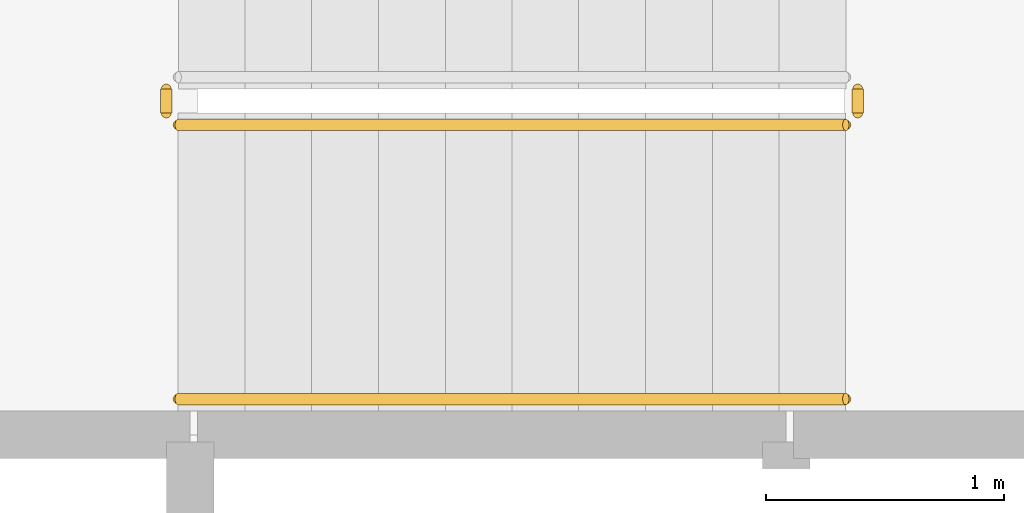
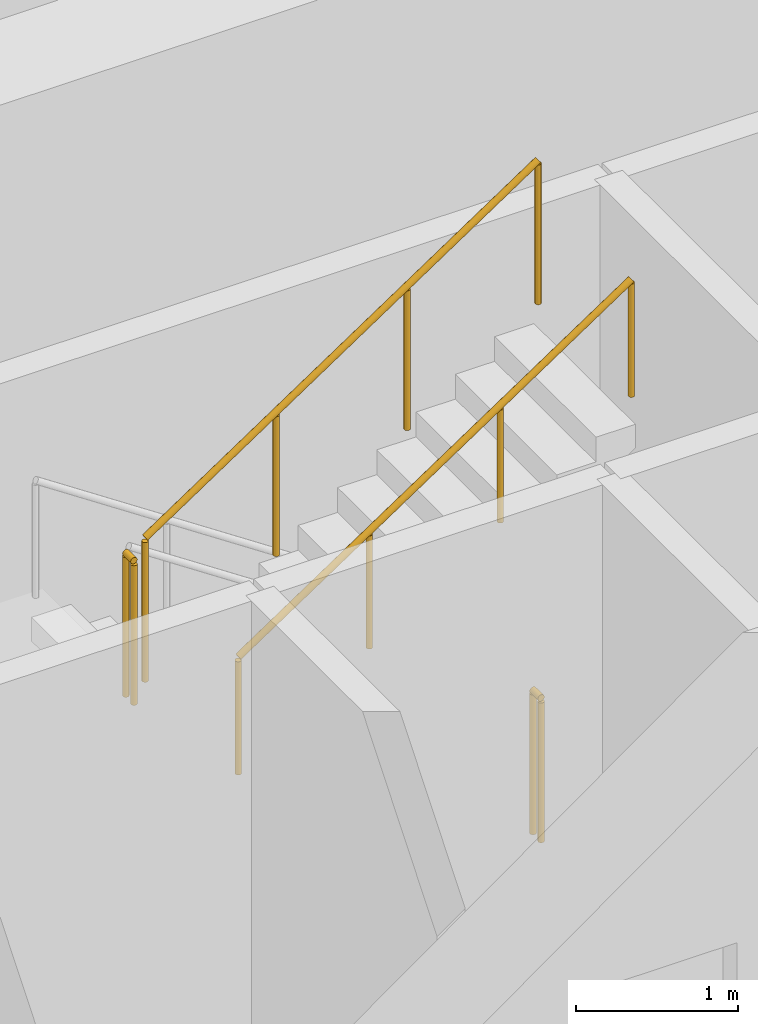
# One storey, part 19 of 21: 4 railings.
"""IFC4 building model written with IfcOpenShell, lengths in metres."""

from ifc_helpers import new_model, si_unit, direction, frame, origin, origin_2d, place, context, subcontext, project, spatial, circle, extrude, material, type_object, element, save


model = new_model("IFC4")

# Units and contexts
model_context = context("Model", 3, precision=1e-05, world=origin(), true_north=direction((0.0, 1.0)))
body_context = subcontext(model_context, "Body", "Model", "MODEL_VIEW")
ifc_project = project(units=[si_unit("LENGTHUNIT", "METRE"), si_unit("AREAUNIT", "SQUARE_METRE"), si_unit("VOLUMEUNIT", "CUBIC_METRE"), si_unit("PLANEANGLEUNIT", "RADIAN"), si_unit("MASSUNIT", "GRAM", prefix="KILO")], contexts=[model_context])

# Site, building, storey
site_placement = place(None, origin())
site = spatial("IfcSite", under=ifc_project, at=site_placement, CompositionType="ELEMENT")
building_placement = place(site_placement, origin())
building = spatial("IfcBuilding", under=site, at=building_placement, Name="Spindrift Exchange Tower", CompositionType="ELEMENT")
storey_placement = place(building_placement, frame((0.0, 0.0, 83.89990234375)))
storey = spatial("IfcBuildingStorey", under=building, at=storey_placement, Name="L19", CompositionType="ELEMENT", Elevation=83.89990234375)

# Railings
ifc_material_1 = material(Name="Steel balustrade", Category="steel")
railing_type_1 = type_object("IfcRailingType", Name="RL-STAIR-GUARD", PredefinedType="GUARDRAIL", material=ifc_material_1)
railing_1_placement = place(storey_placement, frame((46.199951171875, 53.85009765625, 2.050048828125)))
element("IfcRailing", 1, at=railing_1_placement, inside=storey, type_object=railing_type_1, Name="L19 ST1 stair guard 2", PredefinedType="GUARDRAIL", context=body_context, shape_type="SweptSolid", body=[
    extrude(circle(Radius=0.02392578125, at=origin_2d()), frame((0.0, 0.0, 1.076171875), z_axis=(0.0, -1.0, 0.0), x_axis=(1.0, 0.0, 0.0)), (0.0, 0.0, 1.0), 0.10009765625),
    extrude(circle(Radius=0.02099609375, at=origin_2d()), origin(), (0.0, 0.0, 1.0), 1.052001953125),
    extrude(circle(Radius=0.02099609375, at=origin_2d()), frame((0.0, -0.10009765625, 0.0)), (0.0, 0.0, 1.0), 1.052001953125),
])
railing_2_placement = place(storey_placement, frame((46.25, 53.699951171875, 2.236572265625)))
element("IfcRailing", 2, at=railing_2_placement, inside=storey, type_object=railing_type_1, Name="L19 ST1 stair guard 3", PredefinedType="GUARDRAIL", context=body_context, shape_type="SweptSolid", body=[
    extrude(circle(Radius=0.02392578125, at=origin_2d()), frame((0.0, 0.0, 1.076171875), z_axis=(0.832485552168, 0.0, 0.554046753832), x_axis=(0.0, 1.0, 0.0)), (0.0, 0.0, 1.0), 3.363525390625),
    extrude(circle(Radius=0.02099609375, at=origin_2d()), origin(), (0.0, 0.0, 1.0), 1.052001953125),
    extrude(circle(Radius=0.02099609375, at=origin_2d()), frame((0.933349609375, 0.0, 0.62109375)), (0.0, 0.0, 1.0), 1.052001953125),
    extrude(circle(Radius=0.02099609375, at=origin_2d()), frame((1.86669921875, 0.0, 1.242431640625)), (0.0, 0.0, 1.0), 1.052001953125),
    extrude(circle(Radius=0.02099609375, at=origin_2d()), frame((2.800048828125, 0.0, 1.863525390625)), (0.0, 0.0, 1.0), 1.052001953125),
])
railing_3_placement = place(storey_placement, frame((49.10009765625, 53.85009765625, 0.0)))
element("IfcRailing", 3, at=railing_3_placement, inside=storey, type_object=railing_type_1, Name="L19 ST1 stair guard 4", PredefinedType="GUARDRAIL", context=body_context, shape_type="SweptSolid", body=[
    extrude(circle(Radius=0.02392578125, at=origin_2d()), frame((0.0, 0.0, 1.076171875), z_axis=(0.0, -1.0, 0.0), x_axis=(1.0, 0.0, 0.0)), (0.0, 0.0, 1.0), 0.10009765625),
    extrude(circle(Radius=0.02099609375, at=origin_2d()), origin(), (0.0, 0.0, 1.0), 1.052001953125),
    extrude(circle(Radius=0.02099609375, at=origin_2d()), frame((0.0, -0.10009765625, 0.0)), (0.0, 0.0, 1.0), 1.052001953125),
])
ifc_material_2 = material(Name="Steel tubular handrail", Category="steel")
railing_type_2 = type_object("IfcRailingType", Name="RL-STAIR-HAND", PredefinedType="HANDRAIL", material=ifc_material_2)
railing_4_placement = place(storey_placement, frame((46.25, 52.550048828125, 2.236572265625)))
element("IfcRailing", 4, at=railing_4_placement, inside=storey, type_object=railing_type_2, Name="L19 ST1 stair handrail 2", PredefinedType="HANDRAIL", context=body_context, shape_type="SweptSolid", body=[
    extrude(circle(Radius=0.02392578125, at=origin_2d()), frame((0.0, 0.0, 0.8759765625), z_axis=(0.832485552168, 0.0, 0.554046753832), x_axis=(0.0, 1.0, 0.0)), (0.0, 0.0, 1.0), 3.363525390625),
    extrude(circle(Radius=0.02099609375, at=origin_2d()), origin(), (0.0, 0.0, 1.0), 0.851806640625),
    extrude(circle(Radius=0.02099609375, at=origin_2d()), frame((0.933349609375, 0.0, 0.62109375)), (0.0, 0.0, 1.0), 0.851806640625),
    extrude(circle(Radius=0.02099609375, at=origin_2d()), frame((1.86669921875, 0.0, 1.242431640625)), (0.0, 0.0, 1.0), 0.851806640625),
    extrude(circle(Radius=0.02099609375, at=origin_2d()), frame((2.800048828125, 0.0, 1.863525390625)), (0.0, 0.0, 1.0), 0.851806640625),
])

save(model, "model.ifc")
